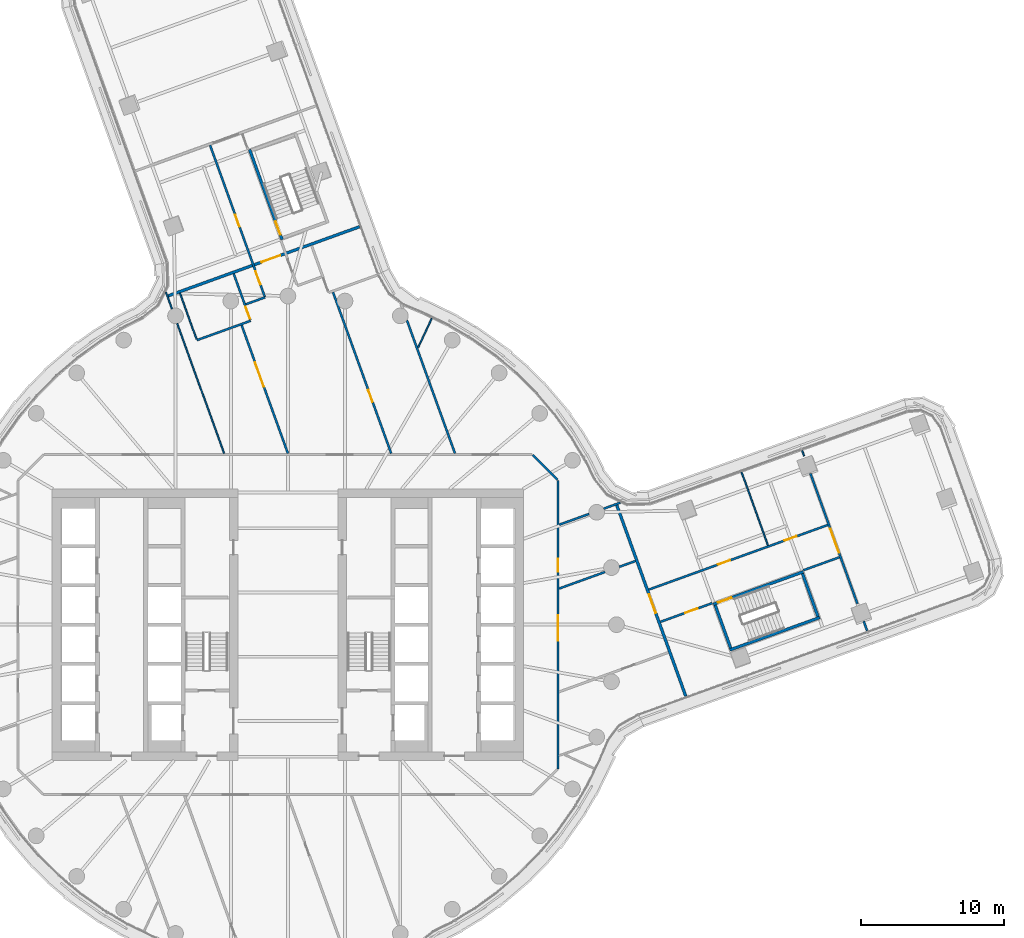
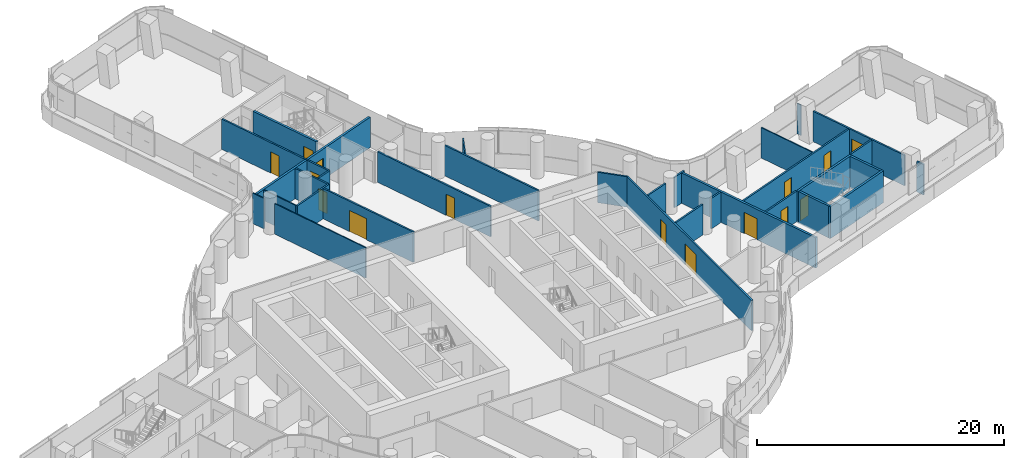
# One storey, part 21 of 30: 31 walls, 15 doors, 15 openings.
"""IFC4 building model written with IfcOpenShell, lengths in metres."""

import ifcopenshell
import ifcopenshell.guid

model = None  # the IFC model being written
_history = None  # IfcOwnerHistory: only IFC2X3 demands one
_inside = {}  # id of a spatial element -> (the spatial element, [elements in it])
_under = {}  # id of a project, library or spatial element -> (it, [spatial elements below it])
_declared = {}  # id of a project -> (the project, [libraries it declares])
_typed = {}  # id of a type object -> (the type object, [elements of that type])
_made_of = {}  # id of a material, layer set ... -> (it, [elements and type objects made of it])


def new_model(schema):
    """Start an empty IFC model of exactly this schema.

    Asked for "IFC4X3", IfcOpenShell would pick the latest addendum, in which some entities
    have other attributes; the version numbers below select the first issue.
    IFC2X3 requires an IfcOwnerHistory on every rooted entity: one is made here for all.
    """
    global model, _history
    if schema == "IFC4X3":
        model = ifcopenshell.file(schema_version=(4, 3, 0, 0))
    else:
        model = ifcopenshell.file(schema=schema)
    _inside.clear()
    _under.clear()
    _declared.clear()
    _typed.clear()
    _made_of.clear()
    _history = None
    if model.schema == "IFC2X3":
        org = make("IfcOrganization", Name="unknown")
        user = make(
            "IfcPersonAndOrganization",
            ThePerson=make("IfcPerson", FamilyName="unknown"),
            TheOrganization=org,
        )
        app = make(
            "IfcApplication",
            ApplicationDeveloper=org,
            Version="unknown",
            ApplicationFullName="unknown",
            ApplicationIdentifier="unknown",
        )
        _history = make(
            "IfcOwnerHistory",
            OwningUser=user,
            OwningApplication=app,
            ChangeAction="ADDED",
            CreationDate=0,
        )
    return model


def make(cls, **values):
    """One entity of the class cls with the attributes given. An attribute that is None is left unset."""
    return model.create_entity(
        cls, **{name: value for name, value in values.items() if value is not None}
    )


def rooted(cls, **values):
    """An entity with a GlobalId (a new one), such as an element, a storey or a relation."""
    return make(cls, GlobalId=ifcopenshell.guid.new(), OwnerHistory=_history, **values)


def si_unit(unit_type, name, prefix=None):
    """IfcSIUnit, for example si_unit("LENGTHUNIT", "METRE", prefix="MILLI")."""
    return make("IfcSIUnit", UnitType=unit_type, Prefix=prefix, Name=name)


def assignment(units):
    """IfcUnitAssignment: the units of a project."""
    return None if units is None else make("IfcUnitAssignment", Units=units)


def point(xyz):
    """IfcCartesianPoint."""
    return None if xyz is None else make("IfcCartesianPoint", Coordinates=xyz)


def direction(xyz):
    """IfcDirection."""
    return None if xyz is None else make("IfcDirection", DirectionRatios=xyz)


def frame(location, z_axis=None, x_axis=None):
    """IfcAxis2Placement3D, a coordinate frame: its origin and axes. An axis left out is left unset."""
    return make(
        "IfcAxis2Placement3D",
        Location=point(location),
        Axis=direction(z_axis),
        RefDirection=direction(x_axis),
    )


def frame_2d(location, x_axis=None):
    """IfcAxis2Placement2D, a coordinate frame in the plane: its origin and x axis."""
    return make(
        "IfcAxis2Placement2D", Location=point(location), RefDirection=direction(x_axis)
    )


def origin():
    """The frame at (0, 0, 0) with its axes left unset."""
    return frame((0.0, 0.0, 0.0))


def place(relative_to, where):
    """IfcLocalPlacement: puts the frame where relative to a parent placement (None: the world)."""
    return make(
        "IfcLocalPlacement", PlacementRelTo=relative_to, RelativePlacement=where
    )


def context(
    kind, dimensions, precision=None, world=None, true_north=None, identifier=None
):
    """IfcGeometricRepresentationContext, for example the 3D "Model" context."""
    return make(
        "IfcGeometricRepresentationContext",
        ContextIdentifier=identifier,
        ContextType=kind,
        CoordinateSpaceDimension=dimensions,
        Precision=precision,
        WorldCoordinateSystem=world,
        TrueNorth=true_north,
    )


def subcontext(parent, identifier, kind, view, scale=None):
    """IfcGeometricRepresentationSubContext, for example "Body" below "Model"."""
    return make(
        "IfcGeometricRepresentationSubContext",
        ContextIdentifier=identifier,
        ContextType=kind,
        ParentContext=parent,
        TargetScale=scale,
        TargetView=view,
    )


def project(units=None, contexts=None):
    """IfcProject with its units and contexts."""
    return rooted(
        "IfcProject",
        Name="project",
        RepresentationContexts=contexts,
        UnitsInContext=assignment(units),
    )


def spatial(cls, under=None, at=None, **own):
    """A site, building, storey or space (cls), placed at a placement, below another one or the project."""
    s = rooted(cls, ObjectPlacement=at, **own)
    if under is not None:
        _under.setdefault(under.id(), (under, []))[1].append(s)
    return s


def polyline(points):
    """IfcPolyline through the points."""
    return make("IfcPolyline", Points=[point(p) for p in points])


def profile(cls, at=None, kind="AREA", **sizes):
    """A parametric profile (cls). Its sizes go by their IFC names, for example OverallWidth=200.0."""
    return make(cls, ProfileType=kind, Position=at, **sizes)


def rectangle(**sizes):
    """IfcRectangleProfileDef."""
    return profile("IfcRectangleProfileDef", **sizes)


def outline(outer, holes=None, kind="AREA"):
    """IfcArbitraryClosedProfileDef: a profile drawn as a closed curve; with holes, ...WithVoids."""
    if holes is None:
        return make("IfcArbitraryClosedProfileDef", ProfileType=kind, OuterCurve=outer)
    return make(
        "IfcArbitraryProfileDefWithVoids",
        ProfileType=kind,
        OuterCurve=outer,
        InnerCurves=holes,
    )


def extrude(swept, where, along, depth):
    """IfcExtrudedAreaSolid: the profile swept, set in the frame where, extruded along a direction by depth."""
    return make(
        "IfcExtrudedAreaSolid",
        SweptArea=swept,
        Position=where,
        ExtrudedDirection=direction(along),
        Depth=depth,
    )


def shape(context_of_items, identifier, shape_type, items):
    """IfcShapeRepresentation: the items that make up one representation, for example the "Body"."""
    return make(
        "IfcShapeRepresentation",
        ContextOfItems=context_of_items,
        RepresentationIdentifier=identifier,
        RepresentationType=shape_type,
        Items=items,
    )


def material(Name=None, Category=None):
    """IfcMaterial."""
    return make("IfcMaterial", Name=Name, Category=Category)


def layer(
    of_material, thickness, ventilated=None, Name=None, Category=None, Priority=None
):
    """IfcMaterialLayer: one layer of a wall or slab, of a material (None: an air gap)."""
    return make(
        "IfcMaterialLayer",
        Material=of_material,
        LayerThickness=thickness,
        IsVentilated=ventilated,
        Name=Name,
        Category=Category,
        Priority=Priority,
    )


def layer_set(layers, Name=None):
    """IfcMaterialLayerSet."""
    return make("IfcMaterialLayerSet", MaterialLayers=layers, LayerSetName=Name)


def made_of(thing, what):
    """Note that an element or type object is made of a material, layer set ...; save() writes the relation."""
    if what is not None:
        _made_of.setdefault(what.id(), (what, []))[1].append(thing)
    return thing


def type_object(cls, material=None, **own):
    """A type object (cls), such as IfcWallType, which elements share."""
    return made_of(rooted(cls, **own), material)


def element(
    cls,
    number,
    at=None,
    inside=None,
    cuts=None,
    type_object=None,
    material=None,
    context=None,
    identifier="Body",
    shape_type=None,
    held_by="IfcProductDefinitionShape",
    body=None,
    shapes=None,
    **own,
):
    """One element of the class cls, such as IfcWall. Its Tag is "e" and its number.

    at: its placement. inside: the storey or other place that contains it. cuts: it is an
    opening in that element (IfcRelVoidsElement). A single representation is given by context,
    identifier, shape_type and body (its items); several are given by shapes. held_by: the class
    of the entity that holds the representations. save() writes the other relations.
    """
    e = rooted(cls, Tag="e%d" % number, ObjectPlacement=at, **own)
    if body is not None:
        shapes = [shape(context, identifier, shape_type, body)]
    if shapes is not None:
        e.Representation = make(held_by, Representations=shapes)
    if inside is not None:
        _inside.setdefault(inside.id(), (inside, []))[1].append(e)
    if cuts is not None:
        rooted(
            "IfcRelVoidsElement", RelatingBuildingElement=cuts, RelatedOpeningElement=e
        )
    if type_object is not None:
        _typed.setdefault(type_object.id(), (type_object, []))[1].append(e)
    return made_of(e, material)


def fill(opening, filler):
    """IfcRelFillsElement: the door or window that sits in an opening."""
    return rooted(
        "IfcRelFillsElement",
        RelatingOpeningElement=opening,
        RelatedBuildingElement=filler,
    )


def aggregate(whole, parts):
    """IfcRelAggregates: a whole, such as a stair, and the parts it consists of."""
    return rooted("IfcRelAggregates", RelatingObject=whole, RelatedObjects=parts)


def save(model, path):
    """Write the relations noted so far, then the file.

    IfcRelAggregates (storeys below a building ...), IfcRelContainedInSpatialStructure (elements
    in a storey), IfcRelDefinesByType, IfcRelAssociatesMaterial and IfcRelDeclares: one each for
    every whole, place, type object, material and project.
    """
    for whole, parts in _under.values():
        aggregate(whole, parts)
    for where, things in _inside.values():
        rooted(
            "IfcRelContainedInSpatialStructure",
            RelatedElements=things,
            RelatingStructure=where,
        )
    for kind, things in _typed.values():
        rooted("IfcRelDefinesByType", RelatedObjects=things, RelatingType=kind)
    for what, things in _made_of.values():
        rooted("IfcRelAssociatesMaterial", RelatedObjects=things, RelatingMaterial=what)
    for by, libraries in _declared.values():
        rooted("IfcRelDeclares", RelatingContext=by, RelatedDefinitions=libraries)
    model.write(path)


model = new_model("IFC4")

# Units and contexts
model_context = context("Model", 3, precision=1e-05, world=origin(), true_north=direction((0.0, 1.0)))
body_context = subcontext(model_context, "Body", "Model", "MODEL_VIEW")
ifc_project = project(units=[si_unit("LENGTHUNIT", "METRE"), si_unit("AREAUNIT", "SQUARE_METRE"), si_unit("VOLUMEUNIT", "CUBIC_METRE"), si_unit("PLANEANGLEUNIT", "RADIAN"), si_unit("MASSUNIT", "GRAM", prefix="KILO")], contexts=[model_context])

# Site, building, storey
site_placement = place(None, origin())
site = spatial("IfcSite", under=ifc_project, at=site_placement, CompositionType="ELEMENT")
building_placement = place(site_placement, origin())
building = spatial("IfcBuilding", under=site, at=building_placement, Name="Tamarind Cross Interchange Tower", CompositionType="ELEMENT")
storey_placement = place(building_placement, frame((0.0, 0.0, 106.0)))
storey = spatial("IfcBuildingStorey", under=building, at=storey_placement, Name="L25", CompositionType="ELEMENT", Elevation=106.0)

# Walls
ifc_material_1 = material(Name="Gypsum board partition on steel studs", Category="steel")
ifc_layer_1 = layer(ifc_material_1, 0.10009765625)
ifc_layer_set_1 = layer_set([ifc_layer_1], Name="Gypsum board partition on steel studs")
wall_type_1 = type_object("IfcWallType", Name="Partition 100 mm EI 90", PredefinedType="PARTITIONING", material=ifc_layer_set_1)
wall_1_placement = place(storey_placement, frame((-8.53564453125, 23.26318359375, 0.0), z_axis=(0.0, 0.0, 1.0), x_axis=(0.339464068385, -0.940619022918, 0.0)))
element("IfcWall", 1, at=wall_1_placement, inside=storey, type_object=wall_type_1, Name="Partition L25-011", PredefinedType="PARTITIONING", context=body_context, shape_type="SweptSolid", body=[
    extrude(rectangle(XDim=1.23046875, YDim=0.10009765625, at=frame_2d((0.615234375, 0.0))), origin(), (0.0, 0.0, 1.0), 3.010009765625),
])
wall_2_placement = place(storey_placement, frame((-7.749267578125, 21.084228515625, 0.0), z_axis=(0.0, 0.0, 1.0), x_axis=(0.339523661118, -0.940597514105, 0.0)))
element("IfcWall", 2, at=wall_2_placement, inside=storey, type_object=wall_type_1, Name="Partition L25-012", PredefinedType="PARTITIONING", context=body_context, shape_type="SweptSolid", body=[
    extrude(rectangle(XDim=9.684326171875, YDim=0.10009765625, at=frame_2d((4.84228515625, 0.0))), origin(), (0.0, 0.0, 1.0), 3.010009765625),
])
wall_3_placement = place(storey_placement, frame((-7.55810546875, 23.204833984375, 0.0), z_axis=(0.0, 0.0, 1.0), x_axis=(0.339464028475, -0.940619037322, 0.0)))
element("IfcWall", 3, at=wall_3_placement, inside=storey, type_object=wall_type_1, Name="Partition L25-013", PredefinedType="PARTITIONING", context=body_context, shape_type="SweptSolid", body=[
    extrude(rectangle(XDim=3.4248046875, YDim=0.10009765625, at=frame_2d((1.71240234375, 0.0))), origin(), (0.0, 0.0, 1.0), 3.010009765625),
])
wall_4_placement = place(storey_placement, frame((31.75830078125, 10.66552734375, 0.0), z_axis=(0.0, 0.0, 1.0), x_axis=(0.339525318556, -0.940596915825, 0.0)))
element("IfcWall", 4, at=wall_4_placement, inside=storey, type_object=wall_type_1, Name="Partition L25-032", PredefinedType="PARTITIONING", context=body_context, shape_type="SweptSolid", body=[
    extrude(rectangle(XDim=5.438232421875, YDim=0.10009765625, at=frame_2d((2.71923828125, 0.0))), origin(), (0.0, 0.0, 1.0), 3.010009765625),
])
wall_5_placement = place(storey_placement, frame((35.993408203125, 12.18701171875, 0.0), z_axis=(0.0, 0.0, 1.0), x_axis=(0.339438863697, -0.940628118765, 0.0)))
element("IfcWall", 5, at=wall_5_placement, inside=storey, type_object=wall_type_1, Name="Partition L25-033", PredefinedType="PARTITIONING", context=body_context, shape_type="SweptSolid", body=[
    extrude(rectangle(XDim=0.408447265625, YDim=0.10009765625, at=frame_2d((0.2041015625, 0.0))), origin(), (0.0, 0.0, 1.0), 3.010009765625),
])
wall_6_placement = place(storey_placement, frame((9.117919921875, 19.407958984375, 0.0), z_axis=(0.0, 0.0, 1.0), x_axis=(0.425122898743, 0.905135636778, 0.0)))
element("IfcWall", 6, at=wall_6_placement, inside=storey, type_object=wall_type_1, Name="Partition L25-074", PredefinedType="PARTITIONING", context=body_context, shape_type="SweptSolid", body=[
    extrude(rectangle(XDim=2.23291015625, YDim=0.10009765625, at=frame_2d((1.116455078125, 0.0))), origin(), (0.0, 0.0, 1.0), 3.010009765625),
])

# Wall, openings, doors
ifc_layer_2 = layer(ifc_material_1, 0.14990234375)
ifc_layer_set_2 = layer_set([ifc_layer_2], Name="Gypsum board partition on steel studs")
wall_type_2 = type_object("IfcWallType", Name="Partition 150 mm EI 120", PredefinedType="PARTITIONING", material=ifc_layer_set_2)
wall_7_placement = place(storey_placement, frame((-5.449462890625, 33.5615234375, 0.0), z_axis=(0.0, 0.0, 1.0), x_axis=(0.339564331491, -0.940582832492, 0.0)))
wall_7 = element("IfcWall", 7, at=wall_7_placement, inside=storey, type_object=wall_type_2, Name="Partition L25-015", PredefinedType="PARTITIONING", context=body_context, shape_type="SweptSolid", body=[
    extrude(rectangle(XDim=11.30517578125, YDim=0.14990234375, at=frame_2d((5.652587890625, 0.0))), origin(), (0.0, 0.0, 1.0), 3.010009765625),
])
opening_1_placement = place(wall_7_placement, frame((9.374755859375, 0.0, 0.0)))
opening_1 = element("IfcOpeningElement", 8, at=opening_1_placement, cuts=wall_7, Name="Opening D04", PredefinedType="OPENING", context=body_context, shape_type="SweptSolid", body=[
    extrude(rectangle(XDim=1.0, YDim=2.10009765625, at=frame_2d((0.5, 1.050048828125))), frame((0.0, 0.0849609375, 0.0), z_axis=(0.0, -1.0, 0.0), x_axis=(1.0, 0.0, 0.0)), (0.0, 0.0, 1.0), 0.169921875),
])
opening_2_placement = place(wall_7_placement, frame((5.175048828125, 0.0, 0.0)))
opening_2 = element("IfcOpeningElement", 9, at=opening_2_placement, cuts=wall_7, Name="Opening D05", PredefinedType="OPENING", context=body_context, shape_type="SweptSolid", body=[
    extrude(rectangle(XDim=0.89990234375, YDim=2.10009765625, at=frame_2d((0.449951171875, 1.050048828125))), frame((0.0, 0.0849609375, 0.0), z_axis=(0.0, -1.0, 0.0), x_axis=(1.0, 0.0, 0.0)), (0.0, 0.0, 1.0), 0.169921875),
])
ifc_material_2 = material(Name="Fire-resisting door set")
door_type_1 = type_object("IfcDoorType", Name="Interior door 1000 x 2100 FD60S", OperationType="SINGLE_SWING_LEFT", PredefinedType="DOOR", material=ifc_material_2)
door_1_placement = place(opening_1_placement, frame((1.0, 0.0, 0.0), z_axis=(0.0, 0.0, 1.0), x_axis=(-1.0, 0.0, 0.0)))
door_1 = element("IfcDoor", 10, at=door_1_placement, inside=storey, type_object=door_type_1, Name="Door D04", OperationType="SINGLE_SWING_RIGHT", OverallHeight=2.10009765625, OverallWidth=1.0, PredefinedType="DOOR", context=body_context, shape_type="SweptSolid", body=[
    extrude(rectangle(XDim=1.0, YDim=2.10009765625, at=frame_2d((0.5, 1.050048828125))), frame((0.0, 0.02490234375, 0.0), z_axis=(0.0, -1.0, 0.0), x_axis=(1.0, 0.0, 0.0)), (0.0, 0.0, 1.0), 0.050048828125),
])
fill(opening_1, door_1)
door_type_2 = type_object("IfcDoorType", Name="Interior door 900 x 2100 FD60S", OperationType="SINGLE_SWING_LEFT", PredefinedType="DOOR", material=ifc_material_2)
door_2_placement = place(opening_2_placement, frame((0.89990234375, 0.0, 0.0), z_axis=(0.0, 0.0, 1.0), x_axis=(-1.0, 0.0, 0.0)))
door_2 = element("IfcDoor", 11, at=door_2_placement, inside=storey, type_object=door_type_2, Name="Door D05", OperationType="SINGLE_SWING_LEFT", OverallHeight=2.10009765625, OverallWidth=0.89990234375, PredefinedType="DOOR", context=body_context, shape_type="SweptSolid", body=[
    extrude(rectangle(XDim=0.89990234375, YDim=2.10009765625, at=frame_2d((0.449951171875, 1.050048828125))), frame((0.0, 0.02490234375, 0.0), z_axis=(0.0, -1.0, 0.0), x_axis=(1.0, 0.0, 0.0)), (0.0, 0.0, 1.0), 0.050048828125),
])
fill(opening_2, door_2)

# Wall, opening, door
wall_8_placement = place(storey_placement, frame((-3.7958984375, 24.56298828125, 0.0), z_axis=(0.0, 0.0, 1.0), x_axis=(0.339653221819, -0.94055073702, 0.0)))
wall_8 = element("IfcWall", 12, at=wall_8_placement, inside=storey, type_object=wall_type_2, Name="Partition L25-016", PredefinedType="PARTITIONING", context=body_context, shape_type="SweptSolid", body=[
    extrude(rectangle(XDim=3.425048828125, YDim=0.14990234375, at=frame_2d((1.71240234375, 0.0))), origin(), (0.0, 0.0, 1.0), 3.010009765625),
])
opening_3_placement = place(wall_8_placement, frame((2.44970703125, 0.0, 0.0)))
opening_3 = element("IfcOpeningElement", 13, at=opening_3_placement, cuts=wall_8, Name="Opening D06", PredefinedType="OPENING", context=body_context, shape_type="SweptSolid", body=[
    extrude(rectangle(XDim=0.89990234375, YDim=2.10009765625, at=frame_2d((0.449951171875, 1.050048828125))), frame((0.0, 0.0849609375, 0.0), z_axis=(0.0, -1.0, 0.0), x_axis=(1.0, 0.0, 0.0)), (0.0, 0.0, 1.0), 0.169921875),
])
door_3_placement = place(opening_3_placement, frame((0.89990234375, 0.0, 0.0), z_axis=(0.0, 0.0, 1.0), x_axis=(-1.0, 0.0, 0.0)))
door_3 = element("IfcDoor", 14, at=door_3_placement, inside=storey, type_object=door_type_2, Name="Door D06", OperationType="SINGLE_SWING_RIGHT", OverallHeight=2.10009765625, OverallWidth=0.89990234375, PredefinedType="DOOR", context=body_context, shape_type="SweptSolid", body=[
    extrude(rectangle(XDim=0.89990234375, YDim=2.10009765625, at=frame_2d((0.449951171875, 1.050048828125))), frame((0.0, 0.02490234375, 0.0), z_axis=(0.0, -1.0, 0.0), x_axis=(1.0, 0.0, 0.0)), (0.0, 0.0, 1.0), 0.050048828125),
])
fill(opening_3, door_3)

wall_9_placement = place(storey_placement, frame((-3.240478515625, 20.96240234375, 0.0), z_axis=(0.0, 0.0, 1.0), x_axis=(0.339641321169, -0.940555034517, 0.0)))
wall_9 = element("IfcWall", 15, at=wall_9_placement, inside=storey, type_object=wall_type_2, Name="Partition L25-017", PredefinedType="PARTITIONING", context=body_context, shape_type="SweptSolid", body=[
    extrude(rectangle(XDim=9.545166015625, YDim=0.14990234375, at=frame_2d((4.7724609375, 0.0))), origin(), (0.0, 0.0, 1.0), 3.010009765625),
])
opening_4_placement = place(wall_9_placement, frame((2.77490234375, 0.0, 0.0)))
opening_4 = element("IfcOpeningElement", 16, at=opening_4_placement, cuts=wall_9, Name="Opening D07", PredefinedType="OPENING", context=body_context, shape_type="SweptSolid", body=[
    extrude(rectangle(XDim=1.800048828125, YDim=2.10009765625, at=frame_2d((0.89990234375, 1.050048828125))), frame((0.0, 0.0849609375, 0.0), z_axis=(0.0, -1.0, 0.0), x_axis=(1.0, 0.0, 0.0)), (0.0, 0.0, 1.0), 0.169921875),
])
door_type_3 = type_object("IfcDoorType", Name="Interior door 1800 x 2100 FD60S", OperationType="DOUBLE_DOOR_SINGLE_SWING", PredefinedType="DOOR", material=ifc_material_2)
door_4_placement = place(opening_4_placement, frame((1.800048828125, 0.0, 0.0), z_axis=(0.0, 0.0, 1.0), x_axis=(-1.0, 0.0, 0.0)))
door_4 = element("IfcDoor", 17, at=door_4_placement, inside=storey, type_object=door_type_3, Name="Door D07", OperationType="DOUBLE_DOOR_SINGLE_SWING", OverallHeight=2.10009765625, OverallWidth=1.800048828125, PredefinedType="DOOR", context=body_context, shape_type="SweptSolid", body=[
    extrude(rectangle(XDim=1.800048828125, YDim=2.10009765625, at=frame_2d((0.89990234375, 1.050048828125))), frame((0.0, 0.02490234375, 0.0), z_axis=(0.0, -1.0, 0.0), x_axis=(1.0, 0.0, 0.0)), (0.0, 0.0, 1.0), 0.050048828125),
])
fill(opening_4, door_4)

wall_10_placement = place(storey_placement, frame((3.1572265625, 23.267822265625, 0.0), z_axis=(0.0, 0.0, 1.0), x_axis=(0.339552440638, -0.940587125181, 0.0)))
wall_10 = element("IfcWall", 18, at=wall_10_placement, inside=storey, type_object=wall_type_2, Name="Partition L25-026", PredefinedType="PARTITIONING", context=body_context, shape_type="SweptSolid", body=[
    extrude(rectangle(XDim=11.995849609375, YDim=0.14990234375, at=frame_2d((5.998046875, 0.0))), origin(), (0.0, 0.0, 1.0), 3.010009765625),
])
opening_5_placement = place(wall_10_placement, frame((7.27001953125, 0.0, 0.0)))
opening_5 = element("IfcOpeningElement", 19, at=opening_5_placement, cuts=wall_10, Name="Opening D14", PredefinedType="OPENING", context=body_context, shape_type="SweptSolid", body=[
    extrude(rectangle(XDim=0.89990234375, YDim=2.10009765625, at=frame_2d((0.449951171875, 1.050048828125))), frame((0.0, 0.0849609375, 0.0), z_axis=(0.0, -1.0, 0.0), x_axis=(1.0, 0.0, 0.0)), (0.0, 0.0, 1.0), 0.169921875),
])
door_5_placement = place(opening_5_placement, origin())
door_5 = element("IfcDoor", 20, at=door_5_placement, inside=storey, type_object=door_type_2, Name="Door D14", OperationType="SINGLE_SWING_LEFT", OverallHeight=2.10009765625, OverallWidth=0.89990234375, PredefinedType="DOOR", context=body_context, shape_type="SweptSolid", body=[
    extrude(rectangle(XDim=0.89990234375, YDim=2.10009765625, at=frame_2d((0.449951171875, 1.050048828125))), frame((0.0, 0.02490234375, 0.0), z_axis=(0.0, -1.0, 0.0), x_axis=(1.0, 0.0, 0.0)), (0.0, 0.0, 1.0), 0.050048828125),
])
fill(opening_5, door_5)

# Wall
wall_11_placement = place(storey_placement, frame((8.328857421875, 21.310302734375, 0.0), z_axis=(0.0, 0.0, 1.0), x_axis=(0.339628731731, -0.94055958056, 0.0)))
element("IfcWall", 21, at=wall_11_placement, inside=storey, type_object=wall_type_2, Name="Partition L25-030", PredefinedType="PARTITIONING", context=body_context, shape_type="SweptSolid", body=[
    extrude(rectangle(XDim=9.9150390625, YDim=0.14990234375, at=frame_2d((4.95751953125, 0.0))), origin(), (0.0, 0.0, 1.0), 3.010009765625),
])

# Wall, opening, door
wall_12_placement = place(storey_placement, frame((36.572998046875, 10.580810546875, 0.0), z_axis=(0.0, 0.0, 1.0), x_axis=(0.339424080137, -0.940633453489, 0.0)))
wall_12 = element("IfcWall", 22, at=wall_12_placement, inside=storey, type_object=wall_type_2, Name="Partition L25-034", PredefinedType="PARTITIONING", context=body_context, shape_type="SweptSolid", body=[
    extrude(rectangle(XDim=9.691650390625, YDim=0.14990234375, at=frame_2d((4.845703125, 0.0))), origin(), (0.0, 0.0, 1.0), 3.010009765625),
])
opening_6_placement = place(wall_12_placement, frame((4.103515625, 0.0, 0.0)))
opening_6 = element("IfcOpeningElement", 23, at=opening_6_placement, cuts=wall_12, Name="Opening D16", PredefinedType="OPENING", context=body_context, shape_type="SweptSolid", body=[
    extrude(rectangle(XDim=1.800048828125, YDim=2.10009765625, at=frame_2d((0.89990234375, 1.050048828125))), frame((0.0, 0.0849609375, 0.0), z_axis=(0.0, -1.0, 0.0), x_axis=(1.0, 0.0, 0.0)), (0.0, 0.0, 1.0), 0.169921875),
])
door_6_placement = place(opening_6_placement, frame((1.800048828125, 0.0, 0.0), z_axis=(0.0, 0.0, 1.0), x_axis=(-1.0, 0.0, 0.0)))
door_6 = element("IfcDoor", 24, at=door_6_placement, inside=storey, type_object=door_type_3, Name="Door D16", OperationType="DOUBLE_DOOR_SINGLE_SWING", OverallHeight=2.10009765625, OverallWidth=1.800048828125, PredefinedType="DOOR", context=body_context, shape_type="SweptSolid", body=[
    extrude(rectangle(XDim=1.800048828125, YDim=2.10009765625, at=frame_2d((0.89990234375, 1.050048828125))), frame((0.0, 0.02490234375, 0.0), z_axis=(0.0, -1.0, 0.0), x_axis=(1.0, 0.0, 0.0)), (0.0, 0.0, 1.0), 0.050048828125),
])
fill(opening_6, door_6)

# Walls
wall_13_placement = place(storey_placement, frame((40.303466796875, 0.242919921875, 0.0), z_axis=(0.0, 0.0, 1.0), x_axis=(0.339374887399, -0.940651203052, 0.0)))
element("IfcWall", 25, at=wall_13_placement, inside=storey, type_object=wall_type_2, Name="Partition L25-035", PredefinedType="PARTITIONING", context=body_context, shape_type="SweptSolid", body=[
    extrude(rectangle(XDim=0.712158203125, YDim=0.14990234375, at=frame_2d((0.35595703125, 0.0))), origin(), (0.0, 0.0, 1.0), 3.010009765625),
])
wall_14_placement = place(storey_placement, frame((17.12841796875, 11.87158203125, 0.0), z_axis=(0.0, 0.0, 1.0), x_axis=(0.707106781187, -0.707106781187, 0.0)))
element("IfcWall", 26, at=wall_14_placement, inside=storey, type_object=wall_type_2, Name="Partition L25-037", PredefinedType="PARTITIONING", context=body_context, shape_type="SweptSolid", body=[
    extrude(rectangle(XDim=2.465087890625, YDim=0.14990234375, at=frame_2d((1.232421875, 0.0))), origin(), (0.0, 0.0, 1.0), 3.010009765625),
])
wall_15_placement = place(storey_placement, frame((-6.3701171875, 19.9130859375, 0.0), z_axis=(0.0, 0.0, 1.0), x_axis=(0.940654582455, 0.339365520503, 0.0)))
element("IfcWall", 27, at=wall_15_placement, inside=storey, type_object=wall_type_2, Name="Partition L25-054", PredefinedType="PARTITIONING", context=body_context, shape_type="SweptSolid", body=[
    extrude(rectangle(XDim=4.00048828125, YDim=0.14990234375, at=frame_2d((2.000244140625, 0.0))), origin(), (0.0, 0.0, 1.0), 3.010009765625),
])
wall_16_placement = place(storey_placement, frame((-2.939697265625, 22.427001953125, 0.0), z_axis=(0.0, 0.0, 1.0), x_axis=(0.940643881944, 0.339395178753, 0.0)))
element("IfcWall", 28, at=wall_16_placement, inside=storey, type_object=wall_type_2, Name="Partition L25-057", PredefinedType="PARTITIONING", context=body_context, shape_type="SweptSolid", body=[
    extrude(rectangle(XDim=1.419921875, YDim=0.14990234375, at=frame_2d((0.7099609375, 0.0))), origin(), (0.0, 0.0, 1.0), 3.010009765625),
])
wall_17_placement = place(storey_placement, frame((18.984619140625, 2.526611328125, 0.0), z_axis=(0.0, 0.0, 1.0), x_axis=(0.94064274641, 0.339398325903, 0.0)))
element("IfcWall", 29, at=wall_17_placement, inside=storey, type_object=wall_type_2, Name="Partition L25-064", PredefinedType="PARTITIONING", context=body_context, shape_type="SweptSolid", body=[
    extrude(rectangle(XDim=3.41259765625, YDim=0.14990234375, at=frame_2d((1.706298828125, 0.0))), origin(), (0.0, 0.0, 1.0), 3.010009765625),
])
wall_18_placement = place(storey_placement, frame((23.196533203125, 4.04638671875, 0.0), z_axis=(0.0, 0.0, 1.0), x_axis=(0.940586372046, 0.339554526874, 0.0)))
element("IfcWall", 30, at=wall_18_placement, inside=storey, type_object=wall_type_2, Name="Partition L25-065", PredefinedType="PARTITIONING", context=body_context, shape_type="SweptSolid", body=[
    extrude(rectangle(XDim=1.20068359375, YDim=0.14990234375, at=frame_2d((0.600341796875, 0.0))), origin(), (0.0, 0.0, 1.0), 3.010009765625),
])
wall_19_placement = place(storey_placement, frame((18.984619140625, 6.99169921875, 0.0), z_axis=(0.0, 0.0, 1.0), x_axis=(0.940573308352, 0.339590711911, 0.0)))
element("IfcWall", 31, at=wall_19_placement, inside=storey, type_object=wall_type_2, Name="Partition L25-066", PredefinedType="PARTITIONING", context=body_context, shape_type="SweptSolid", body=[
    extrude(rectangle(XDim=2.232177734375, YDim=0.14990234375, at=frame_2d((1.1162109375, 0.0))), origin(), (0.0, 0.0, 1.0), 3.010009765625),
])
wall_20_placement = place(storey_placement, frame((22.10546875, 8.118408203125, 0.0), z_axis=(0.0, 0.0, 1.0), x_axis=(0.940550376559, 0.339654219986, 0.0)))
element("IfcWall", 32, at=wall_20_placement, inside=storey, type_object=wall_type_2, Name="Partition L25-067", PredefinedType="PARTITIONING", context=body_context, shape_type="SweptSolid", body=[
    extrude(rectangle(XDim=1.229736328125, YDim=0.14990234375, at=frame_2d((0.61474609375, 0.0))), origin(), (0.0, 0.0, 1.0), 3.010009765625),
])

# Wall, openings, doors
wall_21_placement = place(storey_placement, frame((25.265869140625, 2.45458984375, 0.0), z_axis=(0.0, 0.0, 1.0), x_axis=(0.940575531127, 0.339584555369, 0.0)))
wall_21 = element("IfcWall", 33, at=wall_21_placement, inside=storey, type_object=wall_type_2, Name="Partition L25-068", PredefinedType="PARTITIONING", context=body_context, shape_type="SweptSolid", body=[
    extrude(rectangle(XDim=13.319091796875, YDim=0.14990234375, at=frame_2d((6.65966796875, 0.0))), origin(), (0.0, 0.0, 1.0), 3.010009765625),
])
opening_7_placement = place(wall_21_placement, frame((5.14501953125, 0.0, 0.0)))
opening_7 = element("IfcOpeningElement", 34, at=opening_7_placement, cuts=wall_21, Name="Opening D35", PredefinedType="OPENING", context=body_context, shape_type="SweptSolid", body=[
    extrude(rectangle(XDim=0.89990234375, YDim=2.10009765625, at=frame_2d((0.449951171875, 1.050048828125))), frame((0.0, 0.0849609375, 0.0), z_axis=(0.0, -1.0, 0.0), x_axis=(1.0, 0.0, 0.0)), (0.0, 0.0, 1.0), 0.169921875),
])
opening_8_placement = place(wall_21_placement, frame((10.0947265625, 0.0, 0.0)))
opening_8 = element("IfcOpeningElement", 35, at=opening_8_placement, cuts=wall_21, Name="Opening D36", PredefinedType="OPENING", context=body_context, shape_type="SweptSolid", body=[
    extrude(rectangle(XDim=0.89990234375, YDim=2.10009765625, at=frame_2d((0.449951171875, 1.050048828125))), frame((0.0, 0.0849609375, 0.0), z_axis=(0.0, -1.0, 0.0), x_axis=(1.0, 0.0, 0.0)), (0.0, 0.0, 1.0), 0.169921875),
])
door_7_placement = place(opening_7_placement, origin())
door_7 = element("IfcDoor", 36, at=door_7_placement, inside=storey, type_object=door_type_2, Name="Door D35", OperationType="SINGLE_SWING_RIGHT", OverallHeight=2.10009765625, OverallWidth=0.89990234375, PredefinedType="DOOR", context=body_context, shape_type="SweptSolid", body=[
    extrude(rectangle(XDim=0.89990234375, YDim=2.10009765625, at=frame_2d((0.449951171875, 1.050048828125))), frame((0.0, 0.02490234375, 0.0), z_axis=(0.0, -1.0, 0.0), x_axis=(1.0, 0.0, 0.0)), (0.0, 0.0, 1.0), 0.050048828125),
])
fill(opening_7, door_7)
door_8_placement = place(opening_8_placement, origin())
door_8 = element("IfcDoor", 37, at=door_8_placement, inside=storey, type_object=door_type_2, Name="Door D36", OperationType="SINGLE_SWING_LEFT", OverallHeight=2.10009765625, OverallWidth=0.89990234375, PredefinedType="DOOR", context=body_context, shape_type="SweptSolid", body=[
    extrude(rectangle(XDim=0.89990234375, YDim=2.10009765625, at=frame_2d((0.449951171875, 1.050048828125))), frame((0.0, 0.02490234375, 0.0), z_axis=(0.0, -1.0, 0.0), x_axis=(1.0, 0.0, 0.0)), (0.0, 0.0, 1.0), 0.050048828125),
])
fill(opening_8, door_8)

# Wall, opening, door
wall_22_placement = place(storey_placement, frame((26.080810546875, 0.19775390625, 0.0), z_axis=(0.0, 0.0, 1.0), x_axis=(0.940604475083, 0.339504376192, 0.0)))
wall_22 = element("IfcWall", 38, at=wall_22_placement, inside=storey, type_object=wall_type_2, Name="Partition L25-069", PredefinedType="PARTITIONING", context=body_context, shape_type="SweptSolid", body=[
    extrude(rectangle(XDim=3.8544921875, YDim=0.14990234375, at=frame_2d((1.92724609375, 0.0))), origin(), (0.0, 0.0, 1.0), 3.010009765625),
])
opening_9_placement = place(wall_22_placement, frame((1.844970703125, 0.0, 0.0)))
opening_9 = element("IfcOpeningElement", 39, at=opening_9_placement, cuts=wall_22, Name="Opening D37", PredefinedType="OPENING", context=body_context, shape_type="SweptSolid", body=[
    extrude(rectangle(XDim=0.89990234375, YDim=2.10009765625, at=frame_2d((0.449951171875, 1.050048828125))), frame((0.0, 0.0849609375, 0.0), z_axis=(0.0, -1.0, 0.0), x_axis=(1.0, 0.0, 0.0)), (0.0, 0.0, 1.0), 0.169921875),
])
door_9_placement = place(opening_9_placement, frame((0.89990234375, 0.0, 0.0), z_axis=(0.0, 0.0, 1.0), x_axis=(-1.0, 0.0, 0.0)))
door_9 = element("IfcDoor", 40, at=door_9_placement, inside=storey, type_object=door_type_2, Name="Door D37", OperationType="SINGLE_SWING_RIGHT", OverallHeight=2.10009765625, OverallWidth=0.89990234375, PredefinedType="DOOR", context=body_context, shape_type="SweptSolid", body=[
    extrude(rectangle(XDim=0.89990234375, YDim=2.10009765625, at=frame_2d((0.449951171875, 1.050048828125))), frame((0.0, 0.02490234375, 0.0), z_axis=(0.0, -1.0, 0.0), x_axis=(1.0, 0.0, 0.0)), (0.0, 0.0, 1.0), 0.050048828125),
])
fill(opening_9, door_9)

# Wall
wall_23_placement = place(storey_placement, frame((36.083740234375, 3.80859375, 0.0), z_axis=(0.0, 0.0, 1.0), x_axis=(0.940604827778, 0.339503399041, 0.0)))
element("IfcWall", 41, at=wall_23_placement, inside=storey, type_object=wall_type_2, Name="Partition L25-070", PredefinedType="PARTITIONING", context=body_context, shape_type="SweptSolid", body=[
    extrude(rectangle(XDim=2.679443359375, YDim=0.14990234375, at=frame_2d((1.33984375, 0.0))), origin(), (0.0, 0.0, 1.0), 3.010009765625),
])

# Wall, openings, doors
wall_24_placement = place(storey_placement, frame((18.89990234375, -10.10009765625, 0.0), z_axis=(0.0, 0.0, 1.0), x_axis=(0.0, 1.0, 0.0)))
wall_24 = element("IfcWall", 42, at=wall_24_placement, inside=storey, type_object=wall_type_2, Name="Partition L25-076", PredefinedType="PARTITIONING", context=body_context, shape_type="SweptSolid", body=[
    extrude(rectangle(XDim=20.2001953125, YDim=0.14990234375, at=frame_2d((10.10009765625, 0.0))), origin(), (0.0, 0.0, 1.0), 3.010009765625),
])
opening_10_placement = place(wall_24_placement, frame((8.966064453125, 0.0, 0.0)))
opening_10 = element("IfcOpeningElement", 43, at=opening_10_placement, cuts=wall_24, Name="Opening D40", PredefinedType="OPENING", context=body_context, shape_type="SweptSolid", body=[
    extrude(rectangle(XDim=1.800048828125, YDim=2.10009765625, at=frame_2d((0.89990234375, 1.050048828125))), frame((0.0, 0.0849609375, 0.0), z_axis=(0.0, -1.0, 0.0), x_axis=(1.0, 0.0, 0.0)), (0.0, 0.0, 1.0), 0.169921875),
])
opening_11_placement = place(wall_24_placement, frame((13.7958984375, 0.0, 0.0)))
opening_11 = element("IfcOpeningElement", 44, at=opening_11_placement, cuts=wall_24, Name="Opening D41", PredefinedType="OPENING", context=body_context, shape_type="SweptSolid", body=[
    extrude(rectangle(XDim=0.89990234375, YDim=2.10009765625, at=frame_2d((0.449951171875, 1.050048828125))), frame((0.0, 0.0849609375, 0.0), z_axis=(0.0, -1.0, 0.0), x_axis=(1.0, 0.0, 0.0)), (0.0, 0.0, 1.0), 0.169921875),
])
door_10_placement = place(opening_10_placement, origin())
door_10 = element("IfcDoor", 45, at=door_10_placement, inside=storey, type_object=door_type_3, Name="Door D40", OperationType="DOUBLE_DOOR_SINGLE_SWING", OverallHeight=2.10009765625, OverallWidth=1.800048828125, PredefinedType="DOOR", context=body_context, shape_type="SweptSolid", body=[
    extrude(rectangle(XDim=1.800048828125, YDim=2.10009765625, at=frame_2d((0.89990234375, 1.050048828125))), frame((0.0, 0.02490234375, 0.0), z_axis=(0.0, -1.0, 0.0), x_axis=(1.0, 0.0, 0.0)), (0.0, 0.0, 1.0), 0.050048828125),
])
fill(opening_10, door_10)
door_11_placement = place(opening_11_placement, frame((0.89990234375, 0.0, 0.0), z_axis=(0.0, 0.0, 1.0), x_axis=(-1.0, 0.0, 0.0)))
door_11 = element("IfcDoor", 46, at=door_11_placement, inside=storey, type_object=door_type_2, Name="Door D41", OperationType="SINGLE_SWING_RIGHT", OverallHeight=2.10009765625, OverallWidth=0.89990234375, PredefinedType="DOOR", context=body_context, shape_type="SweptSolid", body=[
    extrude(rectangle(XDim=0.89990234375, YDim=2.10009765625, at=frame_2d((0.449951171875, 1.050048828125))), frame((0.0, 0.02490234375, 0.0), z_axis=(0.0, -1.0, 0.0), x_axis=(1.0, 0.0, 0.0)), (0.0, 0.0, 1.0), 0.050048828125),
])
fill(opening_11, door_11)

# Wall, opening, door
ifc_layer_3 = layer(ifc_material_1, 0.199951171875)
ifc_layer_set_3 = layer_set([ifc_layer_3], Name="Gypsum board partition on steel studs")
wall_type_3 = type_object("IfcWallType", Name="Partition 200 mm EI 180", PredefinedType="PARTITIONING", material=ifc_layer_set_3)
wall_25_placement = place(storey_placement, frame((23.0185546875, 8.368408203125, 0.0), z_axis=(0.0, 0.0, 1.0), x_axis=(0.339687484061, -0.940538363477, 0.0)))
wall_25 = element("IfcWall", 47, at=wall_25_placement, inside=storey, type_object=wall_type_3, Name="Partition L25-031", PredefinedType="PARTITIONING", context=body_context, shape_type="SweptSolid", body=[
    extrude(rectangle(XDim=14.22412109375, YDim=0.199951171875, at=frame_2d((7.112060546875, 0.0))), origin(), (0.0, 0.0, 1.0), 3.010009765625),
])
opening_12_placement = place(wall_25_placement, frame((6.62548828125, 0.0, 0.0)))
opening_12 = element("IfcOpeningElement", 48, at=opening_12_placement, cuts=wall_25, Name="Opening D15", PredefinedType="OPENING", context=body_context, shape_type="SweptSolid", body=[
    extrude(rectangle(XDim=1.39990234375, YDim=2.10009765625, at=frame_2d((0.699951171875, 1.050048828125))), frame((0.0, 0.10986328125, 0.0), z_axis=(0.0, -1.0, 0.0), x_axis=(1.0, 0.0, 0.0)), (0.0, 0.0, 1.0), 0.219970703125),
])
door_type_4 = type_object("IfcDoorType", Name="Interior door 1400 x 2100 FD120S", OperationType="DOUBLE_DOOR_SINGLE_SWING", PredefinedType="DOOR", material=ifc_material_2)
door_12_placement = place(opening_12_placement, frame((1.39990234375, 0.0, 0.0), z_axis=(0.0, 0.0, 1.0), x_axis=(-1.0, 0.0, 0.0)))
door_12 = element("IfcDoor", 49, at=door_12_placement, inside=storey, type_object=door_type_4, Name="Door D15", OperationType="DOUBLE_DOOR_SINGLE_SWING", OverallHeight=2.10009765625, OverallWidth=1.39990234375, PredefinedType="DOOR", context=body_context, shape_type="SweptSolid", body=[
    extrude(rectangle(XDim=1.39990234375, YDim=2.10009765625, at=frame_2d((0.699951171875, 1.050048828125))), frame((0.0, 0.02490234375, 0.0), z_axis=(0.0, -1.0, 0.0), x_axis=(1.0, 0.0, 0.0)), (0.0, 0.0, 1.0), 0.050048828125),
])
fill(opening_12, door_12)

wall_26_placement = place(storey_placement, frame((-8.38720703125, 23.01171875, 0.0), z_axis=(0.0, 0.0, 1.0), x_axis=(0.94050598111, 0.339777132096, 0.0)))
wall_26 = element("IfcWall", 50, at=wall_26_placement, inside=storey, type_object=wall_type_3, Name="Partition L25-053", PredefinedType="PARTITIONING", context=body_context, shape_type="SweptSolid", body=[
    extrude(rectangle(XDim=14.244140625, YDim=0.199951171875, at=frame_2d((7.1220703125, 0.0))), origin(), (0.0, 0.0, 1.0), 3.010009765625),
])
opening_13_placement = place(wall_26_placement, frame((6.945556640625, 0.0, 0.0)))
opening_13 = element("IfcOpeningElement", 51, at=opening_13_placement, cuts=wall_26, Name="Opening D31", PredefinedType="OPENING", context=body_context, shape_type="SweptSolid", body=[
    extrude(rectangle(XDim=1.39990234375, YDim=2.10009765625, at=frame_2d((0.699951171875, 1.050048828125))), frame((0.0, 0.10986328125, 0.0), z_axis=(0.0, -1.0, 0.0), x_axis=(1.0, 0.0, 0.0)), (0.0, 0.0, 1.0), 0.219970703125),
])
door_13_placement = place(opening_13_placement, frame((1.39990234375, 0.0, 0.0), z_axis=(0.0, 0.0, 1.0), x_axis=(-1.0, 0.0, 0.0)))
door_13 = element("IfcDoor", 52, at=door_13_placement, inside=storey, type_object=door_type_4, Name="Door D31", OperationType="DOUBLE_DOOR_SINGLE_SWING", OverallHeight=2.10009765625, OverallWidth=1.39990234375, PredefinedType="DOOR", context=body_context, shape_type="SweptSolid", body=[
    extrude(rectangle(XDim=1.39990234375, YDim=2.10009765625, at=frame_2d((0.699951171875, 1.050048828125))), frame((0.0, 0.02490234375, 0.0), z_axis=(0.0, -1.0, 0.0), x_axis=(1.0, 0.0, 0.0)), (0.0, 0.0, 1.0), 0.050048828125),
])
fill(opening_13, door_13)

ifc_material_3 = material(Name="Concrete C40", Category="concrete")
ifc_layer_4 = layer(ifc_material_3, 0.199951171875)
ifc_layer_set_4 = layer_set([ifc_layer_4], Name="Concrete C40")
wall_type_4 = type_object("IfcWallType", Name="Stair shaft wall 200 mm Concrete C40", PredefinedType="SHEAR", material=ifc_layer_set_4)
wall_27_placement = place(storey_placement, frame((29.778076171875, 1.426025390625, -0.139892578125), z_axis=(0.0, 0.0, 1.0), x_axis=(0.940577178985, 0.339579991126, 0.0)))
wall_27 = element("IfcWall", 53, at=wall_27_placement, inside=storey, type_object=wall_type_4, Name="Core wall CWL-L25-ST3-H", PredefinedType="SHEAR", context=body_context, shape_type="SweptSolid", body=[
    extrude(rectangle(XDim=6.699951171875, YDim=0.199951171875, at=frame_2d((3.35009765625, 0.0))), origin(), (0.0, 0.0, 1.0), 3.14990234375),
])
opening_14_placement = place(wall_27_placement, frame((0.35009765625, 0.0, 0.0)))
opening_14 = element("IfcOpeningElement", 54, at=opening_14_placement, cuts=wall_27, Name="Opening ST3L25", PredefinedType="OPENING", context=body_context, shape_type="SweptSolid", body=[
    extrude(rectangle(XDim=1.0, YDim=2.10009765625, at=frame_2d((0.5, 1.050048828125))), frame((0.0, 0.10986328125, 0.0), z_axis=(0.0, -1.0, 0.0), x_axis=(1.0, 0.0, 0.0)), (0.0, 0.0, 1.0), 0.219970703125),
])
ifc_material_4 = material(Name="Steel, fire-resisting", Category="steel")
door_type_5 = type_object("IfcDoorType", Name="Core fire door 1000 x 2100 FD90", OperationType="SINGLE_SWING_LEFT", PredefinedType="DOOR", material=ifc_material_4)
door_14_placement = place(opening_14_placement, origin())
door_14 = element("IfcDoor", 55, at=door_14_placement, inside=storey, type_object=door_type_5, Name="L25 stair door ST3", OperationType="SINGLE_SWING_LEFT", OverallHeight=2.10009765625, OverallWidth=1.0, PredefinedType="DOOR", context=body_context, shape_type="SweptSolid", body=[
    extrude(rectangle(XDim=1.0, YDim=2.10009765625, at=frame_2d((0.5, 1.050048828125))), frame((0.0, 0.02490234375, 0.0), z_axis=(0.0, -1.0, 0.0), x_axis=(1.0, 0.0, 0.0)), (0.0, 0.0, 1.0), 0.050048828125),
])
fill(opening_14, door_14)

# Walls
wall_28_placement = place(storey_placement, frame((30.9326171875, -1.77197265625, -0.139892578125), z_axis=(0.0, 0.0, 1.0), x_axis=(0.940577178985, 0.339579991126, 0.0)))
element("IfcWall", 56, at=wall_28_placement, inside=storey, type_object=wall_type_4, Name="Core wall CWL-L25-ST3-C", PredefinedType="SHEAR", context=body_context, shape_type="SweptSolid", body=[
    extrude(rectangle(XDim=6.699951171875, YDim=0.199951171875, at=frame_2d((3.35009765625, 0.0))), origin(), (0.0, 0.0, 1.0), 3.14990234375),
])
wall_29_placement = place(storey_placement, frame((30.99267578125, -1.64404296875, -0.139892578125), z_axis=(0.0, 0.0, 1.0), x_axis=(-0.339567599634, 0.940581652638, 0.0)))
element("IfcWall", 57, at=wall_29_placement, inside=storey, type_object=wall_type_4, Name="Core wall CWL-L25-ST3-CE", PredefinedType="SHEAR", context=body_context, shape_type="SweptSolid", body=[
    extrude(rectangle(XDim=3.2001953125, YDim=0.199951171875, at=frame_2d((1.60009765625, 0.0))), origin(), (0.0, 0.0, 1.0), 3.14990234375),
])
wall_30_placement = place(storey_placement, frame((0.0, 0.0, -0.139892578125)))
element("IfcWall", 58, at=wall_30_placement, inside=storey, type_object=wall_type_4, Name="Core wall CWL-L25-ST3-CF", PredefinedType="SHEAR", context=body_context, shape_type="SweptSolid", body=[
    extrude(outline(polyline([(37.01220703125, 0.529296875), (37.200439453125, 0.59716796875), (36.11376953125, 3.607177734375), (35.92578125, 3.539306640625), (37.01220703125, 0.529296875)])), origin(), (0.0, 0.0, 1.0), 3.14990234375),
])

# Wall, opening, door
wall_31_placement = place(storey_placement, frame((-0.4072265625, 26.956298828125, -0.139892578125), z_axis=(0.0, 0.0, 1.0), x_axis=(-0.339579991126, 0.940577178985, 0.0)))
wall_31 = element("IfcWall", 59, at=wall_31_placement, inside=storey, type_object=wall_type_4, Name="Core wall CWL-L25-ST4-H", PredefinedType="SHEAR", context=body_context, shape_type="SweptSolid", body=[
    extrude(rectangle(XDim=6.699951171875, YDim=0.199951171875, at=frame_2d((3.35009765625, 0.0))), origin(), (0.0, 0.0, 1.0), 3.14990234375),
])
opening_15_placement = place(wall_31_placement, frame((0.35009765625, 0.0, 0.0)))
opening_15 = element("IfcOpeningElement", 60, at=opening_15_placement, cuts=wall_31, Name="Opening ST4L25", PredefinedType="OPENING", context=body_context, shape_type="SweptSolid", body=[
    extrude(rectangle(XDim=1.0, YDim=2.10009765625, at=frame_2d((0.5, 1.050048828125))), frame((0.0, 0.10986328125, 0.0), z_axis=(0.0, -1.0, 0.0), x_axis=(1.0, 0.0, 0.0)), (0.0, 0.0, 1.0), 0.219970703125),
])
door_15_placement = place(opening_15_placement, origin())
door_15 = element("IfcDoor", 61, at=door_15_placement, inside=storey, type_object=door_type_5, Name="L25 stair door ST4", OperationType="SINGLE_SWING_LEFT", OverallHeight=2.10009765625, OverallWidth=1.0, PredefinedType="DOOR", context=body_context, shape_type="SweptSolid", body=[
    extrude(rectangle(XDim=1.0, YDim=2.10009765625, at=frame_2d((0.5, 1.050048828125))), frame((0.0, 0.02490234375, 0.0), z_axis=(0.0, -1.0, 0.0), x_axis=(1.0, 0.0, 0.0)), (0.0, 0.0, 1.0), 0.050048828125),
])
fill(opening_15, door_15)

save(model, "model.ifc")
